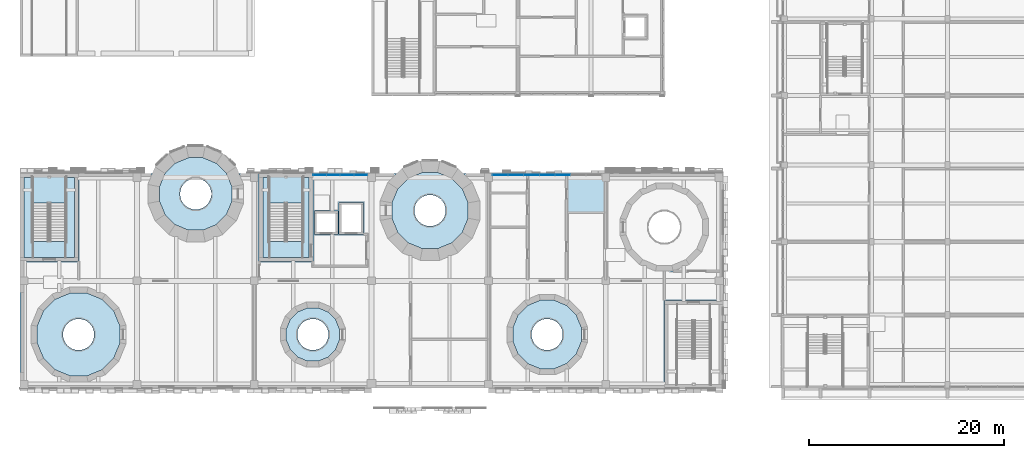
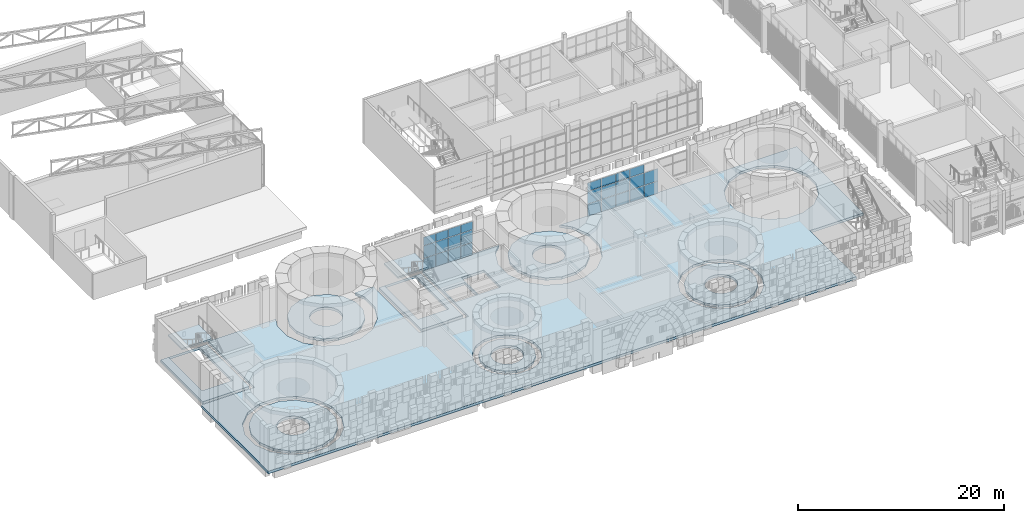
# One storey, part 56 of 125: 26 plates, 10 slabs, 4 elements without a shape of their own.
"""IFC4 building model written with IfcOpenShell, lengths in metres."""

from ifc_helpers import new_model, si_unit, direction, frame, origin, origin_2d, place, context, subcontext, project, spatial, polyline, rectangle, outline, extrude, material, layer, layer_set, type_object, element, aggregate, save


model = new_model("IFC4")

# Units and contexts
model_context = context("Model", 3, precision=1e-05, world=origin(), true_north=direction((0.0, 1.0)))
body_context = subcontext(model_context, "Body", "Model", "MODEL_VIEW")
ifc_project = project(units=[si_unit("LENGTHUNIT", "METRE"), si_unit("AREAUNIT", "SQUARE_METRE"), si_unit("VOLUMEUNIT", "CUBIC_METRE"), si_unit("PLANEANGLEUNIT", "RADIAN"), si_unit("MASSUNIT", "GRAM", prefix="KILO")], contexts=[model_context])

# Site, building, storey
site_placement = place(None, origin())
site = spatial("IfcSite", under=ifc_project, at=site_placement, CompositionType="ELEMENT")
building_placement = place(site_placement, origin())
building = spatial("IfcBuilding", under=site, at=building_placement, Name="Sun Court Science Centre", CompositionType="ELEMENT")
storey_placement = place(building_placement, frame((0.0, 0.0, 6.0)))
storey = spatial("IfcBuildingStorey", under=building, at=storey_placement, Name="L01", CompositionType="ELEMENT", Elevation=6.0)

# Curtain wall, plates
ifc_material_1 = material(Name="Aluminium EN AW-6063 T6", Category="aluminium")
curtain_wall_type = type_object("IfcCurtainWallType", Name="Court gallery curtain wall 1500", PredefinedType="NOTDEFINED", material=ifc_material_1)
curtain_wall_1_placement = place(storey_placement, origin())
curtain_wall_1 = element("IfcCurtainWall", 1, at=curtain_wall_1_placement, inside=storey, type_object=curtain_wall_type, Name="Curtain wall V2 N L01 01", PredefinedType="NOTDEFINED")
ifc_material_2 = material(Name="Insulated glass", Category="glass")
ifc_layer_1 = layer(ifc_material_2, 0.031982421875)
ifc_layer_set_1 = layer_set([ifc_layer_1], Name="Insulated glass")
plate_type = type_object("IfcPlateType", Name="Foyer insulated glazing panel 8-16-8", PredefinedType="CURTAIN_PANEL", material=ifc_layer_set_1)
plate_1_placement = place(storey_placement, frame((30.71240234375, 27.85009765625, 0.0498046875), z_axis=(0.0, 0.0, 1.0), x_axis=(1.0, 0.0, 0.0)))
plate_1 = element("IfcPlate", 2, at=plate_1_placement, type_object=plate_type, Name="CW5-03 panel 1.1", PredefinedType="CURTAIN_PANEL", context=body_context, shape_type="SweptSolid", body=[
    extrude(rectangle(XDim=1.324951171875, YDim=0.031982421875, at=origin_2d()), origin(), (0.0, 0.0, 1.0), 1.425048828125),
])
plate_2_placement = place(storey_placement, frame((32.10009765625, 27.85009765625, 0.0498046875), z_axis=(0.0, 0.0, 1.0), x_axis=(1.0, 0.0, 0.0)))
plate_2 = element("IfcPlate", 3, at=plate_2_placement, type_object=plate_type, Name="CW5-03 panel 2.1", PredefinedType="CURTAIN_PANEL", context=body_context, shape_type="SweptSolid", body=[
    extrude(rectangle(XDim=1.35009765625, YDim=0.031982421875, at=origin_2d()), origin(), (0.0, 0.0, 1.0), 1.425048828125),
])
plate_3_placement = place(storey_placement, frame((33.5, 27.85009765625, 0.0498046875), z_axis=(0.0, 0.0, 1.0), x_axis=(1.0, 0.0, 0.0)))
plate_3 = element("IfcPlate", 4, at=plate_3_placement, type_object=plate_type, Name="CW5-03 panel 3.1", PredefinedType="CURTAIN_PANEL", context=body_context, shape_type="SweptSolid", body=[
    extrude(rectangle(XDim=1.35009765625, YDim=0.031982421875, at=origin_2d()), origin(), (0.0, 0.0, 1.0), 1.425048828125),
])
plate_4_placement = place(storey_placement, frame((34.887451171875, 27.85009765625, 0.0498046875), z_axis=(0.0, 0.0, 1.0), x_axis=(1.0, 0.0, 0.0)))
plate_4 = element("IfcPlate", 5, at=plate_4_placement, type_object=plate_type, Name="CW5-03 panel 4.1", PredefinedType="CURTAIN_PANEL", context=body_context, shape_type="SweptSolid", body=[
    extrude(rectangle(XDim=1.324951171875, YDim=0.031982421875, at=origin_2d()), origin(), (0.0, 0.0, 1.0), 1.425048828125),
])
plate_5_placement = place(storey_placement, frame((30.71240234375, 27.85009765625, 1.52490234375), z_axis=(0.0, 0.0, 1.0), x_axis=(1.0, 0.0, 0.0)))
plate_5 = element("IfcPlate", 6, at=plate_5_placement, type_object=plate_type, Name="CW5-03 panel 1.2", PredefinedType="CURTAIN_PANEL", context=body_context, shape_type="SweptSolid", body=[
    extrude(rectangle(XDim=1.324951171875, YDim=0.031982421875, at=origin_2d()), origin(), (0.0, 0.0, 1.0), 1.449951171875),
])
plate_6_placement = place(storey_placement, frame((32.10009765625, 27.85009765625, 1.52490234375), z_axis=(0.0, 0.0, 1.0), x_axis=(1.0, 0.0, 0.0)))
plate_6 = element("IfcPlate", 7, at=plate_6_placement, type_object=plate_type, Name="CW5-03 panel 2.2", PredefinedType="CURTAIN_PANEL", context=body_context, shape_type="SweptSolid", body=[
    extrude(rectangle(XDim=1.35009765625, YDim=0.031982421875, at=origin_2d()), origin(), (0.0, 0.0, 1.0), 1.449951171875),
])
plate_7_placement = place(storey_placement, frame((33.5, 27.85009765625, 1.52490234375), z_axis=(0.0, 0.0, 1.0), x_axis=(1.0, 0.0, 0.0)))
plate_7 = element("IfcPlate", 8, at=plate_7_placement, type_object=plate_type, Name="CW5-03 panel 3.2", PredefinedType="CURTAIN_PANEL", context=body_context, shape_type="SweptSolid", body=[
    extrude(rectangle(XDim=1.35009765625, YDim=0.031982421875, at=origin_2d()), origin(), (0.0, 0.0, 1.0), 1.449951171875),
])
plate_8_placement = place(storey_placement, frame((34.887451171875, 27.85009765625, 1.52490234375), z_axis=(0.0, 0.0, 1.0), x_axis=(1.0, 0.0, 0.0)))
plate_8 = element("IfcPlate", 9, at=plate_8_placement, type_object=plate_type, Name="CW5-03 panel 4.2", PredefinedType="CURTAIN_PANEL", context=body_context, shape_type="SweptSolid", body=[
    extrude(rectangle(XDim=1.324951171875, YDim=0.031982421875, at=origin_2d()), origin(), (0.0, 0.0, 1.0), 1.449951171875),
])
plate_9_placement = place(storey_placement, frame((30.71240234375, 27.85009765625, 3.02490234375), z_axis=(0.0, 0.0, 1.0), x_axis=(1.0, 0.0, 0.0)))
plate_9 = element("IfcPlate", 10, at=plate_9_placement, type_object=plate_type, Name="CW5-03 panel 1.3", PredefinedType="CURTAIN_PANEL", context=body_context, shape_type="SweptSolid", body=[
    extrude(rectangle(XDim=1.324951171875, YDim=0.031982421875, at=origin_2d()), origin(), (0.0, 0.0, 1.0), 0.97509765625),
])
plate_10_placement = place(storey_placement, frame((32.10009765625, 27.85009765625, 3.02490234375), z_axis=(0.0, 0.0, 1.0), x_axis=(1.0, 0.0, 0.0)))
plate_10 = element("IfcPlate", 11, at=plate_10_placement, type_object=plate_type, Name="CW5-03 panel 2.3", PredefinedType="CURTAIN_PANEL", context=body_context, shape_type="SweptSolid", body=[
    extrude(rectangle(XDim=1.35009765625, YDim=0.031982421875, at=origin_2d()), origin(), (0.0, 0.0, 1.0), 0.97509765625),
])
plate_11_placement = place(storey_placement, frame((33.5, 27.85009765625, 3.02490234375), z_axis=(0.0, 0.0, 1.0), x_axis=(1.0, 0.0, 0.0)))
plate_11 = element("IfcPlate", 12, at=plate_11_placement, type_object=plate_type, Name="CW5-03 panel 3.3", PredefinedType="CURTAIN_PANEL", context=body_context, shape_type="SweptSolid", body=[
    extrude(rectangle(XDim=1.35009765625, YDim=0.031982421875, at=origin_2d()), origin(), (0.0, 0.0, 1.0), 0.97509765625),
])
plate_12_placement = place(storey_placement, frame((34.887451171875, 27.85009765625, 3.02490234375), z_axis=(0.0, 0.0, 1.0), x_axis=(1.0, 0.0, 0.0)))
plate_12 = element("IfcPlate", 13, at=plate_12_placement, type_object=plate_type, Name="CW5-03 panel 4.3", PredefinedType="CURTAIN_PANEL", context=body_context, shape_type="SweptSolid", body=[
    extrude(rectangle(XDim=1.324951171875, YDim=0.031982421875, at=origin_2d()), origin(), (0.0, 0.0, 1.0), 0.97509765625),
])
aggregate(curtain_wall_1, [plate_1, plate_2, plate_3, plate_4, plate_5, plate_6, plate_7, plate_8, plate_9, plate_10, plate_11, plate_12])

curtain_wall_2_placement = place(storey_placement, origin())
curtain_wall_2 = element("IfcCurtainWall", 14, at=curtain_wall_2_placement, inside=storey, type_object=curtain_wall_type, Name="Curtain wall V2 N L01 02", PredefinedType="NOTDEFINED")
plate_13_placement = place(storey_placement, frame((49.21240234375, 27.85009765625, 0.0498046875), z_axis=(0.0, 0.0, 1.0), x_axis=(1.0, 0.0, 0.0)))
plate_13 = element("IfcPlate", 15, at=plate_13_placement, type_object=plate_type, Name="CW5-04 panel 1.1", PredefinedType="CURTAIN_PANEL", context=body_context, shape_type="SweptSolid", body=[
    extrude(rectangle(XDim=1.52490234375, YDim=0.031982421875, at=origin_2d()), origin(), (0.0, 0.0, 1.0), 1.425048828125),
])
plate_14_placement = place(storey_placement, frame((50.800048828125, 27.85009765625, 0.0498046875), z_axis=(0.0, 0.0, 1.0), x_axis=(1.0, 0.0, 0.0)))
plate_14 = element("IfcPlate", 16, at=plate_14_placement, type_object=plate_type, Name="CW5-04 panel 2.1", PredefinedType="CURTAIN_PANEL", context=body_context, shape_type="SweptSolid", body=[
    extrude(rectangle(XDim=1.550048828125, YDim=0.031982421875, at=origin_2d()), origin(), (0.0, 0.0, 1.0), 1.425048828125),
])
plate_15_placement = place(storey_placement, frame((52.39990234375, 27.85009765625, 0.0498046875), z_axis=(0.0, 0.0, 1.0), x_axis=(1.0, 0.0, 0.0)))
plate_15 = element("IfcPlate", 17, at=plate_15_placement, type_object=plate_type, Name="CW5-04 panel 3.1", PredefinedType="CURTAIN_PANEL", context=body_context, shape_type="SweptSolid", body=[
    extrude(rectangle(XDim=1.550048828125, YDim=0.031982421875, at=origin_2d()), origin(), (0.0, 0.0, 1.0), 1.425048828125),
])
plate_16_placement = place(storey_placement, frame((54.0, 27.85009765625, 0.0498046875), z_axis=(0.0, 0.0, 1.0), x_axis=(1.0, 0.0, 0.0)))
plate_16 = element("IfcPlate", 18, at=plate_16_placement, type_object=plate_type, Name="CW5-04 panel 4.1", PredefinedType="CURTAIN_PANEL", context=body_context, shape_type="SweptSolid", body=[
    extrude(rectangle(XDim=1.550048828125, YDim=0.031982421875, at=origin_2d()), origin(), (0.0, 0.0, 1.0), 1.425048828125),
])
plate_17_placement = place(storey_placement, frame((55.60009765625, 27.85009765625, 0.0498046875), z_axis=(0.0, 0.0, 1.0), x_axis=(1.0, 0.0, 0.0)))
plate_17 = element("IfcPlate", 19, at=plate_17_placement, type_object=plate_type, Name="CW5-04 panel 5.1", PredefinedType="CURTAIN_PANEL", context=body_context, shape_type="SweptSolid", body=[
    extrude(rectangle(XDim=1.550048828125, YDim=0.031982421875, at=origin_2d()), origin(), (0.0, 0.0, 1.0), 1.425048828125),
])
plate_18_placement = place(storey_placement, frame((49.21240234375, 27.85009765625, 1.52490234375), z_axis=(0.0, 0.0, 1.0), x_axis=(1.0, 0.0, 0.0)))
plate_18 = element("IfcPlate", 20, at=plate_18_placement, type_object=plate_type, Name="CW5-04 panel 1.2", PredefinedType="CURTAIN_PANEL", context=body_context, shape_type="SweptSolid", body=[
    extrude(rectangle(XDim=1.52490234375, YDim=0.031982421875, at=origin_2d()), origin(), (0.0, 0.0, 1.0), 1.449951171875),
])
plate_19_placement = place(storey_placement, frame((50.800048828125, 27.85009765625, 1.52490234375), z_axis=(0.0, 0.0, 1.0), x_axis=(1.0, 0.0, 0.0)))
plate_19 = element("IfcPlate", 21, at=plate_19_placement, type_object=plate_type, Name="CW5-04 panel 2.2", PredefinedType="CURTAIN_PANEL", context=body_context, shape_type="SweptSolid", body=[
    extrude(rectangle(XDim=1.550048828125, YDim=0.031982421875, at=origin_2d()), origin(), (0.0, 0.0, 1.0), 1.449951171875),
])
plate_20_placement = place(storey_placement, frame((52.39990234375, 27.85009765625, 1.52490234375), z_axis=(0.0, 0.0, 1.0), x_axis=(1.0, 0.0, 0.0)))
plate_20 = element("IfcPlate", 22, at=plate_20_placement, type_object=plate_type, Name="CW5-04 panel 3.2", PredefinedType="CURTAIN_PANEL", context=body_context, shape_type="SweptSolid", body=[
    extrude(rectangle(XDim=1.550048828125, YDim=0.031982421875, at=origin_2d()), origin(), (0.0, 0.0, 1.0), 1.449951171875),
])
plate_21_placement = place(storey_placement, frame((54.0, 27.85009765625, 1.52490234375), z_axis=(0.0, 0.0, 1.0), x_axis=(1.0, 0.0, 0.0)))
plate_21 = element("IfcPlate", 23, at=plate_21_placement, type_object=plate_type, Name="CW5-04 panel 4.2", PredefinedType="CURTAIN_PANEL", context=body_context, shape_type="SweptSolid", body=[
    extrude(rectangle(XDim=1.550048828125, YDim=0.031982421875, at=origin_2d()), origin(), (0.0, 0.0, 1.0), 1.449951171875),
])
plate_22_placement = place(storey_placement, frame((55.60009765625, 27.85009765625, 1.52490234375), z_axis=(0.0, 0.0, 1.0), x_axis=(1.0, 0.0, 0.0)))
plate_22 = element("IfcPlate", 24, at=plate_22_placement, type_object=plate_type, Name="CW5-04 panel 5.2", PredefinedType="CURTAIN_PANEL", context=body_context, shape_type="SweptSolid", body=[
    extrude(rectangle(XDim=1.550048828125, YDim=0.031982421875, at=origin_2d()), origin(), (0.0, 0.0, 1.0), 1.449951171875),
])
plate_23_placement = place(storey_placement, frame((49.21240234375, 27.85009765625, 3.02490234375), z_axis=(0.0, 0.0, 1.0), x_axis=(1.0, 0.0, 0.0)))
plate_23 = element("IfcPlate", 25, at=plate_23_placement, type_object=plate_type, Name="CW5-04 panel 1.3", PredefinedType="CURTAIN_PANEL", context=body_context, shape_type="SweptSolid", body=[
    extrude(rectangle(XDim=1.52490234375, YDim=0.031982421875, at=origin_2d()), origin(), (0.0, 0.0, 1.0), 0.97509765625),
])
plate_24_placement = place(storey_placement, frame((50.800048828125, 27.85009765625, 3.02490234375), z_axis=(0.0, 0.0, 1.0), x_axis=(1.0, 0.0, 0.0)))
plate_24 = element("IfcPlate", 26, at=plate_24_placement, type_object=plate_type, Name="CW5-04 panel 2.3", PredefinedType="CURTAIN_PANEL", context=body_context, shape_type="SweptSolid", body=[
    extrude(rectangle(XDim=1.550048828125, YDim=0.031982421875, at=origin_2d()), origin(), (0.0, 0.0, 1.0), 0.97509765625),
])
plate_25_placement = place(storey_placement, frame((52.39990234375, 27.85009765625, 3.02490234375), z_axis=(0.0, 0.0, 1.0), x_axis=(1.0, 0.0, 0.0)))
plate_25 = element("IfcPlate", 27, at=plate_25_placement, type_object=plate_type, Name="CW5-04 panel 3.3", PredefinedType="CURTAIN_PANEL", context=body_context, shape_type="SweptSolid", body=[
    extrude(rectangle(XDim=1.550048828125, YDim=0.031982421875, at=origin_2d()), origin(), (0.0, 0.0, 1.0), 0.97509765625),
])
plate_26_placement = place(storey_placement, frame((54.0, 27.85009765625, 3.02490234375), z_axis=(0.0, 0.0, 1.0), x_axis=(1.0, 0.0, 0.0)))
plate_26 = element("IfcPlate", 28, at=plate_26_placement, type_object=plate_type, Name="CW5-04 panel 4.3", PredefinedType="CURTAIN_PANEL", context=body_context, shape_type="SweptSolid", body=[
    extrude(rectangle(XDim=1.550048828125, YDim=0.031982421875, at=origin_2d()), origin(), (0.0, 0.0, 1.0), 0.97509765625),
])
aggregate(curtain_wall_2, [plate_13, plate_14, plate_15, plate_16, plate_17, plate_18, plate_19, plate_20, plate_21, plate_22, plate_23, plate_24, plate_25, plate_26])

# Slabs
ifc_material_3 = material(Name="Concrete C25/30", Category="concrete")
ifc_layer_2 = layer(ifc_material_3, 0.300048828125)
ifc_layer_set_2 = layer_set([ifc_layer_2], Name="Concrete C25/30")
slab_type_1 = type_object("IfcSlabType", Name="RC floor slab 300", PredefinedType="FLOOR", material=ifc_layer_set_2)
slab_1_placement = place(storey_placement, frame((0.0, 0.0, -0.300048828125)))
element("IfcSlab", 29, at=slab_1_placement, inside=storey, type_object=slab_type_1, Name="Floor slab L01", PredefinedType="FLOOR", context=body_context, shape_type="SweptSolid", body=[
    extrude(outline(polyline([(72.0, 15.0), (72.0, 28.0), (45.41259765625, 28.0), (46.32373046875, 27.0888671875), (47.10009765625, 25.21435546875), (47.10009765625, 23.185546875), (46.32373046875, 21.31103515625), (44.888916015625, 19.87646484375), (43.014404296875, 19.099853515625), (40.985595703125, 19.099853515625), (39.111083984375, 19.87646484375), (37.67626953125, 21.31103515625), (36.89990234375, 23.185546875), (36.89990234375, 25.21435546875), (37.67626953125, 27.0888671875), (38.58740234375, 28.0), (30.0, 28.0), (30.0, 19.0), (24.5, 19.0), (24.5, 28.0), (22.438232421875, 28.0), (22.90380859375, 26.87548828125), (22.90380859375, 24.924560546875), (22.1572265625, 23.1220703125), (20.77783203125, 21.74267578125), (18.975341796875, 20.99609375), (17.024658203125, 20.99609375), (15.22216796875, 21.74267578125), (13.8427734375, 23.1220703125), (13.09619140625, 24.924560546875), (13.09619140625, 26.87548828125), (13.561767578125, 28.0), (6.0, 28.0), (6.0, 19.0), (0.0, 19.0), (0.0, 6.0), (66.0, 6.0), (66.0, 15.0), (72.0, 15.0)]), holes=[polyline([(70.51171875, 23.3974609375), (70.51171875, 21.6025390625), (69.82470703125, 19.9443359375), (68.5556640625, 18.67529296875), (66.8974609375, 17.98828125), (65.1025390625, 17.98828125), (63.4443359375, 18.67529296875), (62.17529296875, 19.9443359375), (61.48828125, 21.6025390625), (61.48828125, 23.3974609375), (62.17529296875, 25.0556640625), (63.4443359375, 26.32470703125), (65.1025390625, 27.01171875), (66.8974609375, 27.01171875), (68.5556640625, 26.32470703125), (69.82470703125, 25.0556640625), (70.51171875, 23.3974609375)]), polyline([(58.119384765625, 10.6806640625), (57.4921875, 9.16650390625), (56.33349609375, 8.0078125), (54.8193359375, 7.380615234375), (53.1806640625, 7.380615234375), (51.66650390625, 8.0078125), (50.5078125, 9.16650390625), (49.880615234375, 10.6806640625), (49.880615234375, 12.3193359375), (50.5078125, 13.83349609375), (51.66650390625, 14.9921875), (53.1806640625, 15.619384765625), (54.8193359375, 15.619384765625), (56.33349609375, 14.9921875), (57.4921875, 13.83349609375), (58.119384765625, 12.3193359375), (58.119384765625, 10.6806640625)]), polyline([(32.699951171875, 25.050048828125), (35.199951171875, 25.050048828125), (35.199951171875, 21.75), (32.699951171875, 21.75), (32.699951171875, 25.050048828125)]), polyline([(33.334716796875, 10.836669921875), (32.826904296875, 9.611083984375), (31.888916015625, 8.673095703125), (30.663330078125, 8.165283203125), (29.336669921875, 8.165283203125), (28.111083984375, 8.673095703125), (27.173095703125, 9.611083984375), (26.665283203125, 10.836669921875), (26.665283203125, 12.163330078125), (27.173095703125, 13.388916015625), (28.111083984375, 14.326904296875), (29.336669921875, 14.834716796875), (30.663330078125, 14.834716796875), (31.888916015625, 14.326904296875), (32.826904296875, 13.388916015625), (33.334716796875, 12.163330078125), (33.334716796875, 10.836669921875)]), polyline([(30.1474609375, 24.172607421875), (32.572509765625, 24.172607421875), (32.572509765625, 21.74755859375), (30.1474609375, 21.74755859375), (30.1474609375, 24.172607421875)]), polyline([(10.85498046875, 12.465576171875), (10.85498046875, 10.534423828125), (10.11572265625, 8.75), (8.75, 7.38427734375), (6.965576171875, 6.64501953125), (5.034423828125, 6.64501953125), (3.25, 7.38427734375), (1.88427734375, 8.75), (1.14501953125, 10.534423828125), (1.14501953125, 12.465576171875), (1.88427734375, 14.25), (3.25, 15.61572265625), (5.034423828125, 16.35498046875), (6.965576171875, 16.35498046875), (8.75, 15.61572265625), (10.11572265625, 14.25), (10.85498046875, 12.465576171875)])]), origin(), (0.0, 0.0, 1.0), 0.300048828125),
])
slab_2_placement = place(storey_placement, frame((0.0, 0.0, -0.300048828125)))
element("IfcSlab", 30, at=slab_2_placement, inside=storey, type_object=slab_type_1, Name="Stair SB1 landing slab L01", PredefinedType="FLOOR", context=body_context, shape_type="SweptSolid", body=[
    extrude(outline(polyline([(0.39990234375, 27.60009765625), (0.39990234375, 19.39990234375), (5.60009765625, 19.39990234375), (5.60009765625, 27.60009765625), (0.39990234375, 27.60009765625)]), holes=[polyline([(4.722900390625, 27.594970703125), (4.722900390625, 21.052978515625), (1.277099609375, 21.052978515625), (1.277099609375, 27.594970703125), (4.722900390625, 27.594970703125)])]), origin(), (0.0, 0.0, 1.0), 0.300048828125),
])
slab_3_placement = place(storey_placement, frame((0.0, 0.0, -0.300048828125)))
element("IfcSlab", 31, at=slab_3_placement, inside=storey, type_object=slab_type_1, Name="Stair SB2 landing slab L01", PredefinedType="FLOOR", context=body_context, shape_type="SweptSolid", body=[
    extrude(outline(polyline([(24.89990234375, 27.60009765625), (24.89990234375, 19.39990234375), (29.60009765625, 19.39990234375), (29.60009765625, 27.60009765625), (24.89990234375, 27.60009765625)]), holes=[polyline([(28.972900390625, 27.594970703125), (28.972900390625, 21.052978515625), (25.527099609375, 21.052978515625), (25.527099609375, 27.594970703125), (28.972900390625, 27.594970703125)])]), origin(), (0.0, 0.0, 1.0), 0.300048828125),
])
slab_4_placement = place(storey_placement, frame((0.0, 0.0, -0.300048828125)))
element("IfcSlab", 32, at=slab_4_placement, inside=storey, type_object=slab_type_1, Name="Cone 1 gallery floor L01", PredefinedType="FLOOR", context=body_context, shape_type="SweptSolid", body=[
    extrude(outline(polyline([(10.2548828125, 10.653564453125), (10.2548828125, 12.346435546875), (9.607177734375, 13.91015625), (8.41015625, 15.107177734375), (6.846435546875, 15.7548828125), (5.153564453125, 15.7548828125), (3.58984375, 15.107177734375), (2.392822265625, 13.91015625), (1.7451171875, 12.346435546875), (1.7451171875, 10.653564453125), (2.392822265625, 9.08984375), (3.58984375, 7.892822265625), (5.153564453125, 7.2451171875), (6.846435546875, 7.2451171875), (8.41015625, 7.892822265625), (9.607177734375, 9.08984375), (10.2548828125, 10.653564453125)]), holes=[polyline([(7.58642578125, 11.708740234375), (7.60009765625, 11.5), (7.58642578125, 11.291259765625), (7.54541015625, 11.0859375), (7.478271484375, 10.8876953125), (7.3857421875, 10.699951171875), (7.269287109375, 10.52587890625), (7.13134765625, 10.36865234375), (6.97412109375, 10.230712890625), (6.800048828125, 10.1142578125), (6.6123046875, 10.021728515625), (6.4140625, 9.95458984375), (6.208740234375, 9.91357421875), (6.0, 9.89990234375), (5.791259765625, 9.91357421875), (5.5859375, 9.95458984375), (5.3876953125, 10.021728515625), (5.199951171875, 10.1142578125), (5.02587890625, 10.230712890625), (4.86865234375, 10.36865234375), (4.730712890625, 10.52587890625), (4.6142578125, 10.699951171875), (4.521728515625, 10.8876953125), (4.45458984375, 11.0859375), (4.41357421875, 11.291259765625), (4.39990234375, 11.5), (4.41357421875, 11.708740234375), (4.45458984375, 11.9140625), (4.521728515625, 12.1123046875), (4.6142578125, 12.300048828125), (4.730712890625, 12.47412109375), (4.86865234375, 12.63134765625), (5.02587890625, 12.769287109375), (5.199951171875, 12.8857421875), (5.3876953125, 12.978271484375), (5.5859375, 13.04541015625), (5.791259765625, 13.08642578125), (6.0, 13.10009765625), (6.208740234375, 13.08642578125), (6.4140625, 13.04541015625), (6.6123046875, 12.978271484375), (6.800048828125, 12.8857421875), (6.97412109375, 12.769287109375), (7.13134765625, 12.63134765625), (7.269287109375, 12.47412109375), (7.3857421875, 12.300048828125), (7.478271484375, 12.1123046875), (7.54541015625, 11.9140625), (7.58642578125, 11.708740234375)])]), origin(), (0.0, 0.0, 1.0), 0.300048828125),
])
slab_5_placement = place(storey_placement, frame((0.0, 0.0, -0.300048828125)))
element("IfcSlab", 33, at=slab_5_placement, inside=storey, type_object=slab_type_1, Name="Cone 2 gallery floor L01", PredefinedType="FLOOR", context=body_context, shape_type="SweptSolid", body=[
    extrude(outline(polyline([(21.715576171875, 25.160888671875), (21.715576171875, 26.63916015625), (21.14990234375, 28.004638671875), (20.104736328125, 29.0498046875), (18.739013671875, 29.615478515625), (17.260986328125, 29.615478515625), (15.895263671875, 29.0498046875), (14.85009765625, 28.004638671875), (14.284423828125, 26.63916015625), (14.284423828125, 25.160888671875), (14.85009765625, 23.79541015625), (15.895263671875, 22.750244140625), (17.260986328125, 22.1845703125), (18.739013671875, 22.1845703125), (20.104736328125, 22.750244140625), (21.14990234375, 23.79541015625), (21.715576171875, 25.160888671875)]), holes=[polyline([(19.58642578125, 26.10888671875), (19.60009765625, 25.89990234375), (19.58642578125, 25.691162109375), (19.54541015625, 25.48583984375), (19.478271484375, 25.28759765625), (19.3857421875, 25.10009765625), (19.269287109375, 24.926025390625), (19.13134765625, 24.7685546875), (18.97412109375, 24.630615234375), (18.800048828125, 24.514404296875), (18.6123046875, 24.421875), (18.4140625, 24.3544921875), (18.208740234375, 24.313720703125), (18.0, 24.300048828125), (17.791259765625, 24.313720703125), (17.5859375, 24.3544921875), (17.3876953125, 24.421875), (17.199951171875, 24.514404296875), (17.02587890625, 24.630615234375), (16.86865234375, 24.7685546875), (16.730712890625, 24.926025390625), (16.6142578125, 25.10009765625), (16.521728515625, 25.28759765625), (16.45458984375, 25.48583984375), (16.41357421875, 25.691162109375), (16.39990234375, 25.89990234375), (16.41357421875, 26.10888671875), (16.45458984375, 26.314208984375), (16.521728515625, 26.51220703125), (16.6142578125, 26.699951171875), (16.730712890625, 26.8740234375), (16.86865234375, 27.03125), (17.02587890625, 27.16943359375), (17.199951171875, 27.28564453125), (17.3876953125, 27.378173828125), (17.5859375, 27.445556640625), (17.791259765625, 27.486328125), (18.0, 27.5), (18.208740234375, 27.486328125), (18.4140625, 27.445556640625), (18.6123046875, 27.378173828125), (18.800048828125, 27.28564453125), (18.97412109375, 27.16943359375), (19.13134765625, 27.03125), (19.269287109375, 26.8740234375), (19.3857421875, 26.699951171875), (19.478271484375, 26.51220703125), (19.54541015625, 26.314208984375), (19.58642578125, 26.10888671875)])]), origin(), (0.0, 0.0, 1.0), 0.300048828125),
])
slab_6_placement = place(storey_placement, frame((0.0, 0.0, -0.300048828125)))
element("IfcSlab", 34, at=slab_6_placement, inside=storey, type_object=slab_type_1, Name="Cone 3 gallery floor L01", PredefinedType="FLOOR", context=body_context, shape_type="SweptSolid", body=[
    extrude(outline(polyline([(32.734619140625, 10.9560546875), (32.734619140625, 12.0439453125), (32.318359375, 13.049072265625), (31.549072265625, 13.818359375), (30.5439453125, 14.234619140625), (29.4560546875, 14.234619140625), (28.450927734375, 13.818359375), (27.681640625, 13.049072265625), (27.265380859375, 12.0439453125), (27.265380859375, 10.9560546875), (27.681640625, 9.950927734375), (28.450927734375, 9.181640625), (29.4560546875, 8.765380859375), (30.5439453125, 8.765380859375), (31.549072265625, 9.181640625), (32.318359375, 9.950927734375), (32.734619140625, 10.9560546875)]), holes=[polyline([(31.58642578125, 11.708740234375), (31.60009765625, 11.5), (31.58642578125, 11.291259765625), (31.54541015625, 11.0859375), (31.478271484375, 10.8876953125), (31.3857421875, 10.699951171875), (31.269287109375, 10.52587890625), (31.13134765625, 10.36865234375), (30.97412109375, 10.230712890625), (30.800048828125, 10.1142578125), (30.6123046875, 10.021728515625), (30.4140625, 9.95458984375), (30.208740234375, 9.91357421875), (30.0, 9.89990234375), (29.791259765625, 9.91357421875), (29.5859375, 9.95458984375), (29.3876953125, 10.021728515625), (29.199951171875, 10.1142578125), (29.02587890625, 10.230712890625), (28.86865234375, 10.36865234375), (28.730712890625, 10.52587890625), (28.6142578125, 10.699951171875), (28.521728515625, 10.8876953125), (28.45458984375, 11.0859375), (28.41357421875, 11.291259765625), (28.39990234375, 11.5), (28.41357421875, 11.708740234375), (28.45458984375, 11.9140625), (28.521728515625, 12.1123046875), (28.6142578125, 12.300048828125), (28.730712890625, 12.47412109375), (28.86865234375, 12.63134765625), (29.02587890625, 12.769287109375), (29.199951171875, 12.8857421875), (29.3876953125, 12.978271484375), (29.5859375, 13.04541015625), (29.791259765625, 13.08642578125), (30.0, 13.10009765625), (30.208740234375, 13.08642578125), (30.4140625, 13.04541015625), (30.6123046875, 12.978271484375), (30.800048828125, 12.8857421875), (30.97412109375, 12.769287109375), (31.13134765625, 12.63134765625), (31.269287109375, 12.47412109375), (31.3857421875, 12.300048828125), (31.478271484375, 12.1123046875), (31.54541015625, 11.9140625), (31.58642578125, 11.708740234375)])]), origin(), (0.0, 0.0, 1.0), 0.300048828125),
])
slab_7_placement = place(storey_placement, frame((0.0, 0.0, -0.300048828125)))
element("IfcSlab", 35, at=slab_7_placement, inside=storey, type_object=slab_type_1, Name="Cone 4 gallery floor L01", PredefinedType="FLOOR", context=body_context, shape_type="SweptSolid", body=[
    extrude(outline(polyline([(45.91162109375, 23.421875), (45.91162109375, 24.97802734375), (45.316162109375, 26.415771484375), (44.2158203125, 27.51611328125), (42.778076171875, 28.111572265625), (41.221923828125, 28.111572265625), (39.7841796875, 27.51611328125), (38.683837890625, 26.415771484375), (38.08837890625, 24.97802734375), (38.08837890625, 23.421875), (38.683837890625, 21.984130859375), (39.7841796875, 20.8837890625), (41.221923828125, 20.288330078125), (42.778076171875, 20.288330078125), (44.2158203125, 20.8837890625), (45.316162109375, 21.984130859375), (45.91162109375, 23.421875)]), holes=[polyline([(43.58642578125, 24.408935546875), (43.60009765625, 24.199951171875), (43.58642578125, 23.9912109375), (43.54541015625, 23.785888671875), (43.478271484375, 23.587646484375), (43.3857421875, 23.39990234375), (43.269287109375, 23.22607421875), (43.13134765625, 23.068603515625), (42.97412109375, 22.9306640625), (42.800048828125, 22.814453125), (42.6123046875, 22.7216796875), (42.4140625, 22.654541015625), (42.208740234375, 22.61376953125), (42.0, 22.60009765625), (41.791259765625, 22.61376953125), (41.5859375, 22.654541015625), (41.3876953125, 22.7216796875), (41.199951171875, 22.814453125), (41.02587890625, 22.9306640625), (40.86865234375, 23.068603515625), (40.730712890625, 23.22607421875), (40.6142578125, 23.39990234375), (40.521728515625, 23.587646484375), (40.45458984375, 23.785888671875), (40.41357421875, 23.9912109375), (40.39990234375, 24.199951171875), (40.41357421875, 24.408935546875), (40.45458984375, 24.614013671875), (40.521728515625, 24.812255859375), (40.6142578125, 25.0), (40.730712890625, 25.174072265625), (40.86865234375, 25.331298828125), (41.02587890625, 25.469482421875), (41.199951171875, 25.585693359375), (41.3876953125, 25.67822265625), (41.5859375, 25.745361328125), (41.791259765625, 25.786376953125), (42.0, 25.800048828125), (42.208740234375, 25.786376953125), (42.4140625, 25.745361328125), (42.6123046875, 25.67822265625), (42.800048828125, 25.585693359375), (42.97412109375, 25.469482421875), (43.13134765625, 25.331298828125), (43.269287109375, 25.174072265625), (43.3857421875, 25.0), (43.478271484375, 24.812255859375), (43.54541015625, 24.614013671875), (43.58642578125, 24.408935546875)])]), origin(), (0.0, 0.0, 1.0), 0.300048828125),
])
slab_8_placement = place(storey_placement, frame((0.0, 0.0, -0.300048828125)))
element("IfcSlab", 36, at=slab_8_placement, inside=storey, type_object=slab_type_1, Name="Cone 5 gallery floor L01", PredefinedType="FLOOR", context=body_context, shape_type="SweptSolid", body=[
    extrude(outline(polyline([(57.519287109375, 10.800048828125), (57.519287109375, 12.199951171875), (56.9833984375, 13.493408203125), (55.993408203125, 14.4833984375), (54.699951171875, 15.019287109375), (53.300048828125, 15.019287109375), (52.006591796875, 14.4833984375), (51.0166015625, 13.493408203125), (50.480712890625, 12.199951171875), (50.480712890625, 10.800048828125), (51.0166015625, 9.506591796875), (52.006591796875, 8.5166015625), (53.300048828125, 7.980712890625), (54.699951171875, 7.980712890625), (55.993408203125, 8.5166015625), (56.9833984375, 9.506591796875), (57.519287109375, 10.800048828125)]), holes=[polyline([(55.58642578125, 11.708740234375), (55.60009765625, 11.5), (55.58642578125, 11.291259765625), (55.54541015625, 11.0859375), (55.478271484375, 10.8876953125), (55.3857421875, 10.699951171875), (55.269287109375, 10.52587890625), (55.13134765625, 10.36865234375), (54.97412109375, 10.230712890625), (54.800048828125, 10.1142578125), (54.6123046875, 10.021728515625), (54.4140625, 9.95458984375), (54.208740234375, 9.91357421875), (54.0, 9.89990234375), (53.791259765625, 9.91357421875), (53.5859375, 9.95458984375), (53.3876953125, 10.021728515625), (53.199951171875, 10.1142578125), (53.02587890625, 10.230712890625), (52.86865234375, 10.36865234375), (52.730712890625, 10.52587890625), (52.6142578125, 10.699951171875), (52.521728515625, 10.8876953125), (52.45458984375, 11.0859375), (52.41357421875, 11.291259765625), (52.39990234375, 11.5), (52.41357421875, 11.708740234375), (52.45458984375, 11.9140625), (52.521728515625, 12.1123046875), (52.6142578125, 12.300048828125), (52.730712890625, 12.47412109375), (52.86865234375, 12.63134765625), (53.02587890625, 12.769287109375), (53.199951171875, 12.8857421875), (53.3876953125, 12.978271484375), (53.5859375, 13.04541015625), (53.791259765625, 13.08642578125), (54.0, 13.10009765625), (54.208740234375, 13.08642578125), (54.4140625, 13.04541015625), (54.6123046875, 12.978271484375), (54.800048828125, 12.8857421875), (54.97412109375, 12.769287109375), (55.13134765625, 12.63134765625), (55.269287109375, 12.47412109375), (55.3857421875, 12.300048828125), (55.478271484375, 12.1123046875), (55.54541015625, 11.9140625), (55.58642578125, 11.708740234375)])]), origin(), (0.0, 0.0, 1.0), 0.300048828125),
])

# Stair, slab
ifc_material_4 = material(Name="Concrete C25/30", Category="concrete")
stair_type = type_object("IfcStairType", Name="Stair 1500 enclosed half-turn", PredefinedType="HALF_TURN_STAIR", material=ifc_material_4)
stair_1_placement = place(storey_placement, origin())
stair_1 = element("IfcStair", 37, at=stair_1_placement, inside=storey, type_object=stair_type, Name="L01 Stair SB1", PredefinedType="HALF_TURN_STAIR")
ifc_material_5 = material(Name="Concrete C25/30", Category="concrete")
ifc_layer_3 = layer(ifc_material_5, 0.199951171875)
ifc_layer_set_3 = layer_set([ifc_layer_3], Name="Concrete C25/30")
slab_type_2 = type_object("IfcSlabType", Name="Stair landing 200", PredefinedType="LANDING", material=ifc_layer_set_3)
slab_9_placement = place(storey_placement, frame((0.0, 0.0, 2.425048828125)))
slab_9 = element("IfcSlab", 38, at=slab_9_placement, type_object=slab_type_2, Name="SB1 landing 1", PredefinedType="LANDING", context=body_context, shape_type="SweptSolid", body=[
    extrude(outline(polyline([(4.722900390625, 24.964111328125), (4.722900390625, 27.699951171875), (1.277099609375, 27.699951171875), (1.277099609375, 24.964111328125), (4.722900390625, 24.964111328125)])), origin(), (0.0, 0.0, 1.0), 0.199951171875),
])
aggregate(stair_1, [slab_9])

stair_2_placement = place(storey_placement, origin())
stair_2 = element("IfcStair", 39, at=stair_2_placement, inside=storey, type_object=stair_type, Name="L01 Stair SB2", PredefinedType="HALF_TURN_STAIR")
slab_10_placement = place(storey_placement, frame((0.0, 0.0, 2.425048828125)))
slab_10 = element("IfcSlab", 40, at=slab_10_placement, type_object=slab_type_2, Name="SB2 landing 1", PredefinedType="LANDING", context=body_context, shape_type="SweptSolid", body=[
    extrude(outline(polyline([(28.972900390625, 24.964111328125), (28.972900390625, 27.699951171875), (25.527099609375, 27.699951171875), (25.527099609375, 24.964111328125), (28.972900390625, 24.964111328125)])), origin(), (0.0, 0.0, 1.0), 0.199951171875),
])
aggregate(stair_2, [slab_10])

save(model, "model.ifc")
